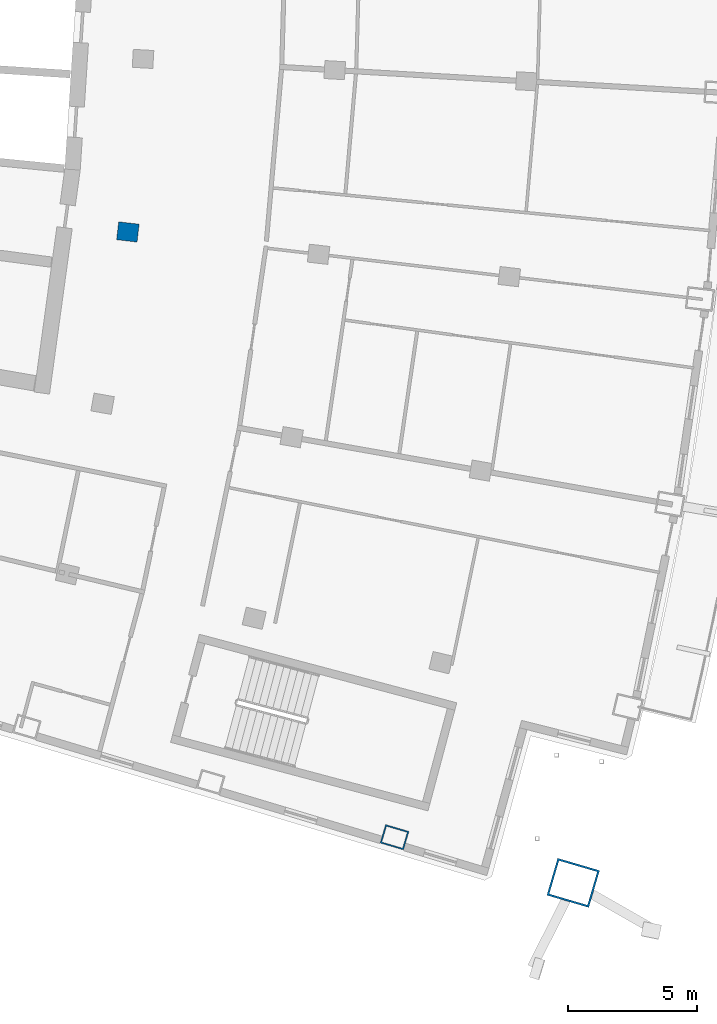
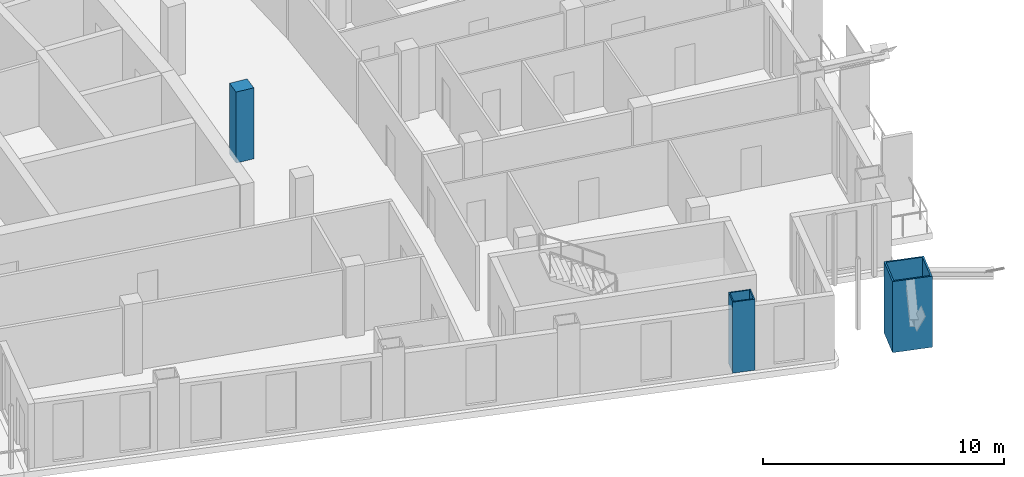
# One storey, part 4 of 21: 3 columns.
"""IFC4 building model written with IfcOpenShell, lengths in metres."""

from ifc_helpers import new_model, si_unit, direction, frame, origin, origin_2d, place, context, subcontext, project, spatial, rectangle, hollow_rectangle, extrude, material, material_profile, profile_set, type_object, element, save


model = new_model("IFC4")

# Units and contexts
model_context = context("Model", 3, precision=1e-05, world=origin(), true_north=direction((0.0, 1.0)))
body_context = subcontext(model_context, "Body", "Model", "MODEL_VIEW")
ifc_project = project(units=[si_unit("LENGTHUNIT", "METRE"), si_unit("AREAUNIT", "SQUARE_METRE"), si_unit("VOLUMEUNIT", "CUBIC_METRE"), si_unit("PLANEANGLEUNIT", "RADIAN"), si_unit("MASSUNIT", "GRAM", prefix="KILO")], contexts=[model_context])

# Site, building, storey
site_placement = place(None, origin())
site = spatial("IfcSite", under=ifc_project, at=site_placement, CompositionType="ELEMENT")
building_placement = place(site_placement, origin())
building = spatial("IfcBuilding", under=site, at=building_placement, Name="Alderwake Tower", CompositionType="ELEMENT")
storey_placement = place(building_placement, frame((0.0, 0.0, 207.199951171875)))
storey = spatial("IfcBuildingStorey", under=building, at=storey_placement, Name="L51", CompositionType="ELEMENT", Elevation=207.199951171875)

# Columns
ifc_material_1 = material(Name="Steel ASTM A572 Grade 50 concrete filled C70/85", Category="concrete")
ifc_material_profile_1 = material_profile(ifc_material_1, hollow_rectangle(XDim=0.75, YDim=0.949951171875, WallThickness=0.054931640625, at=origin_2d()), Name="BOX 950X750X55")
ifc_profile_set_1 = profile_set([ifc_material_profile_1], Name="Steel ASTM A572 Grade 50 concrete filled C70/85")
column_type_1 = type_object("IfcColumnType", Name="End column Z4", PredefinedType="COLUMN", material=ifc_profile_set_1)
column_1_placement = place(storey_placement, frame((45.383056640625, 23.98291015625, 0.0), z_axis=(0.0, 0.0, 1.0), x_axis=(0.283150052378, 0.959075621543, 0.0)))
element("IfcColumn", 1, at=column_1_placement, inside=storey, type_object=column_type_1, Name="Column R02-C4", PredefinedType="COLUMN", context=body_context, shape_type="SweptSolid", body=[
    extrude(hollow_rectangle(XDim=0.75, YDim=0.949951171875, WallThickness=0.054931640625, at=origin_2d()), origin(), (0.0, 0.0, 1.0), 3.60009765625),
])
ifc_material_2 = material(Name="Concrete C70/85", Category="concrete")
ifc_material_profile_2 = material_profile(ifc_material_2, rectangle(XDim=0.699951171875, YDim=0.800048828125, at=origin_2d()), Name="RC 800X700")
ifc_profile_set_2 = profile_set([ifc_material_profile_2], Name="Concrete C70/85")
column_type_2 = type_object("IfcColumnType", Name="Interior column Z4", PredefinedType="COLUMN", material=ifc_profile_set_2)
column_2_placement = place(storey_placement, frame((35.0126953125, 47.5205078125, 0.0), z_axis=(0.0, 0.0, 1.0), x_axis=(0.116402054316, 0.993202175668, 0.0)))
element("IfcColumn", 2, at=column_2_placement, inside=storey, type_object=column_type_2, Name="Column R05-C2", PredefinedType="COLUMN", context=body_context, shape_type="SweptSolid", body=[
    extrude(rectangle(XDim=0.699951171875, YDim=0.800048828125, at=origin_2d()), origin(), (0.0, 0.0, 1.0), 3.60009765625),
])
ifc_material_3 = material(Name="Steel ASTM A572 Grade 50 concrete filled C70/85", Category="concrete")
ifc_material_profile_3 = material_profile(ifc_material_3, hollow_rectangle(XDim=1.5, YDim=1.699951171875, WallThickness=0.074951171875, at=origin_2d()), Name="BOX 1700X1500X75")
ifc_profile_set_3 = profile_set([ifc_material_profile_3], Name="Steel ASTM A572 Grade 50 concrete filled C70/85")
column_type_3 = type_object("IfcColumnType", Name="Mega column Z4", PredefinedType="COLUMN", material=ifc_profile_set_3)
column_3_placement = place(storey_placement, frame((52.331298828125, 22.2080078125, 0.0), z_axis=(0.0, 0.0, 1.0), x_axis=(0.281304888972, 0.959618444717, 0.0)))
element("IfcColumn", 3, at=column_3_placement, inside=storey, type_object=column_type_3, Name="Column R02-C5", PredefinedType="COLUMN", context=body_context, shape_type="SweptSolid", body=[
    extrude(hollow_rectangle(XDim=1.5, YDim=1.699951171875, WallThickness=0.074951171875, at=origin_2d()), origin(), (0.0, 0.0, 1.0), 3.60009765625),
])

save(model, "model.ifc")
